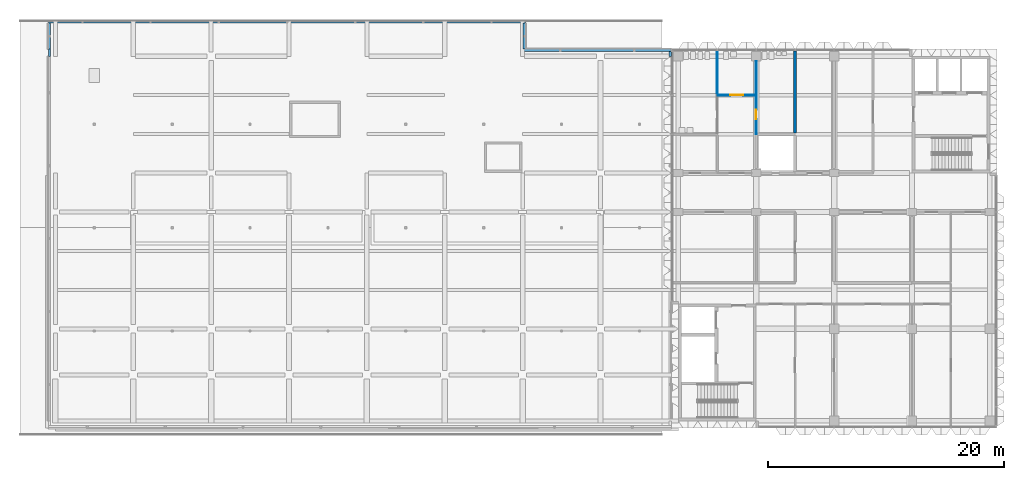
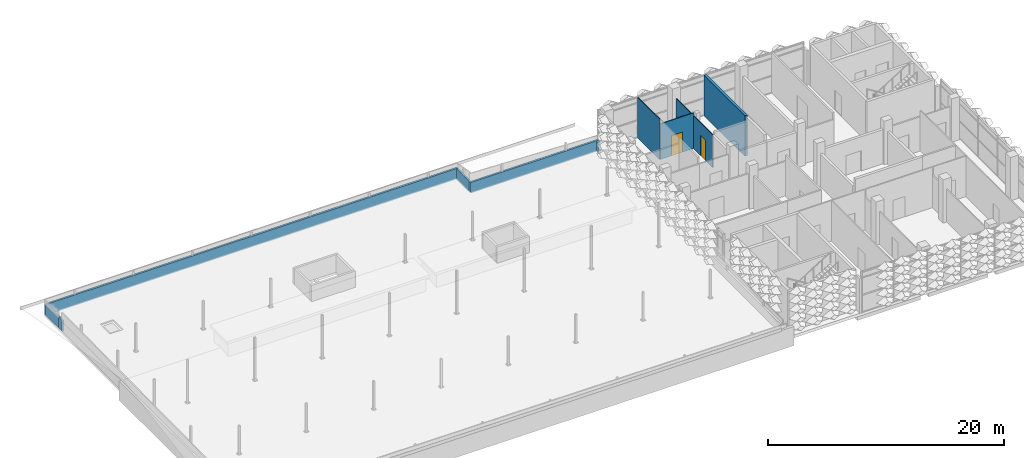
# One storey, part 12 of 39: 11 walls, 2 doors, 2 openings.
"""IFC4 building model written with IfcOpenShell, lengths in metres."""

from ifc_helpers import new_model, si_unit, direction, frame, frame_2d, origin, place, context, subcontext, project, spatial, rectangle, extrude, material, layer, layer_set, type_object, element, fill, save


model = new_model("IFC4")

# Units and contexts
model_context = context("Model", 3, precision=1e-05, world=origin(), true_north=direction((0.0, 1.0)))
body_context = subcontext(model_context, "Body", "Model", "MODEL_VIEW")
ifc_project = project(units=[si_unit("LENGTHUNIT", "METRE"), si_unit("AREAUNIT", "SQUARE_METRE"), si_unit("VOLUMEUNIT", "CUBIC_METRE"), si_unit("PLANEANGLEUNIT", "RADIAN"), si_unit("MASSUNIT", "GRAM", prefix="KILO")], contexts=[model_context])

# Site, building, storey
site_placement = place(None, origin())
site = spatial("IfcSite", under=ifc_project, at=site_placement, CompositionType="ELEMENT")
building_placement = place(site_placement, origin())
building = spatial("IfcBuilding", under=site, at=building_placement, Name="Lantern Court Research Institute", CompositionType="ELEMENT")
storey_placement = place(building_placement, frame((0.0, 0.0, 27.89990234375)))
storey = spatial("IfcBuildingStorey", under=building, at=storey_placement, Name="L06", CompositionType="ELEMENT", Elevation=27.89990234375)

# Walls
ifc_material_1 = material(Name="Concrete C30/37", Category="concrete")
ifc_layer_1 = layer(ifc_material_1, 0.199951171875)
ifc_layer_set_1 = layer_set([ifc_layer_1], Name="Concrete C30/37")
wall_type_1 = type_object("IfcWallType", Name="Parapet 200 concrete upstand", PredefinedType="PARAPET", material=ifc_layer_set_1)
wall_1_placement = place(storey_placement, frame((52.10009765625, 23.10009765625, 0.0), z_axis=(0.0, 0.0, 1.0), x_axis=(0.0, 1.0, 0.0)))
element("IfcWall", 1, at=wall_1_placement, inside=storey, type_object=wall_type_1, Name="Parapet L06 Wet Laboratory Wing 6", PredefinedType="PARAPET", context=body_context, shape_type="SweptSolid", body=[
    extrude(rectangle(XDim=0.39990234375, YDim=0.199951171875, at=frame_2d((0.199951171875, 0.0))), origin(), (0.0, 0.0, 1.0), 1.10009765625),
])
wall_2_placement = place(storey_placement, frame((52.199951171875, 23.60009765625, 0.0), z_axis=(0.0, 0.0, 1.0), x_axis=(-1.0, 0.0, 0.0)))
element("IfcWall", 2, at=wall_2_placement, inside=storey, type_object=wall_type_1, Name="Parapet L06 Wet Laboratory Wing 7", PredefinedType="PARAPET", context=body_context, shape_type="SweptSolid", body=[
    extrude(rectangle(XDim=12.550048828125, YDim=0.199951171875, at=frame_2d((6.27490234375, 0.0))), origin(), (0.0, 0.0, 1.0), 1.10009765625),
])
wall_3_placement = place(storey_placement, frame((39.75, 23.699951171875, 0.0), z_axis=(0.0, 0.0, 1.0), x_axis=(0.0, 1.0, 0.0)))
element("IfcWall", 3, at=wall_3_placement, inside=storey, type_object=wall_type_1, Name="Parapet L06 Wet Laboratory Wing 8", PredefinedType="PARAPET", context=body_context, shape_type="SweptSolid", body=[
    extrude(rectangle(XDim=2.199951171875, YDim=0.199951171875, at=frame_2d((1.10009765625, 0.0))), origin(), (0.0, 0.0, 1.0), 1.10009765625),
])
wall_4_placement = place(storey_placement, frame((39.85009765625, 26.0, 0.0), z_axis=(0.0, 0.0, 1.0), x_axis=(-1.0, 0.0, 0.0)))
element("IfcWall", 4, at=wall_4_placement, inside=storey, type_object=wall_type_1, Name="Parapet L06 Wet Laboratory Wing 9", PredefinedType="PARAPET", context=body_context, shape_type="SweptSolid", body=[
    extrude(rectangle(XDim=40.4501953125, YDim=0.199951171875, at=frame_2d((20.22509765625, 0.0))), origin(), (0.0, 0.0, 1.0), 1.10009765625),
])
wall_5_placement = place(storey_placement, frame((-0.5, 25.89990234375, 0.0), z_axis=(0.0, 0.0, 1.0), x_axis=(0.0, -1.0, 0.0)))
element("IfcWall", 5, at=wall_5_placement, inside=storey, type_object=wall_type_1, Name="Parapet L06 Wet Laboratory Wing 10", PredefinedType="PARAPET", context=body_context, shape_type="SweptSolid", body=[
    extrude(rectangle(XDim=2.199951171875, YDim=0.199951171875, at=frame_2d((1.10009765625, 0.0))), origin(), (0.0, 0.0, 1.0), 1.10009765625),
])
wall_6_placement = place(storey_placement, frame((-0.5, 23.699951171875, 0.0), z_axis=(0.0, 0.0, 1.0), x_axis=(0.0, -1.0, 0.0)))
element("IfcWall", 6, at=wall_6_placement, inside=storey, type_object=wall_type_1, Name="Parapet L06 Wet Laboratory Wing 11", PredefinedType="PARAPET", context=body_context, shape_type="SweptSolid", body=[
    extrude(rectangle(XDim=0.599853515625, YDim=0.199951171875, at=frame_2d((0.2998046875, 0.0))), origin(), (0.0, 0.0, 1.0), 1.10009765625),
])
ifc_material_2 = material(Name="Fire-rated gypsum board partition, double stud, mineral wool filled")
ifc_layer_2 = layer(ifc_material_2, 0.25)
ifc_layer_set_2 = layer_set([ifc_layer_2], Name="Fire-rated gypsum board partition, double stud, mineral wool filled")
wall_type_2 = type_object("IfcWallType", Name="Plant compartment wall 250 EI 120", PredefinedType="PARTITIONING", material=ifc_layer_set_2)
wall_7_placement = place(storey_placement, frame((62.699951171875, 16.60009765625, 0.0), z_axis=(0.0, 0.0, 1.0), x_axis=(0.0, 1.0, 0.0)))
element("IfcWall", 7, at=wall_7_placement, inside=storey, type_object=wall_type_2, Name="Plant compartment wall 250 EI 120", PredefinedType="PARTITIONING", context=body_context, shape_type="SweptSolid", body=[
    extrude(rectangle(XDim=6.949951171875, YDim=0.25, at=frame_2d((3.47509765625, 0.0))), origin(), (0.0, 0.0, 1.0), 4.2001953125),
])
ifc_material_3 = material(Name="Gypsum board partition, mineral wool filled")
ifc_layer_3 = layer(ifc_material_3, 0.074951171875)
ifc_layer_set_3 = layer_set([ifc_layer_3], Name="Gypsum board partition, mineral wool filled")
wall_type_3 = type_object("IfcWallType", Name="Wet room partition 75", PredefinedType="PARTITIONING", material=ifc_layer_set_3)
wall_8_placement = place(storey_placement, frame((56.10009765625, 19.800048828125, 0.0), z_axis=(0.0, 0.0, 1.0), x_axis=(0.0, 1.0, 0.0)))
element("IfcWall", 8, at=wall_8_placement, inside=storey, type_object=wall_type_3, Name="Wet room partition 75", PredefinedType="PARTITIONING", context=body_context, shape_type="SweptSolid", body=[
    extrude(rectangle(XDim=3.75, YDim=0.074951171875, at=frame_2d((1.875, 0.0))), origin(), (0.0, 0.0, 1.0), 4.2001953125),
])

# Wall, opening, door
wall_9_placement = place(storey_placement, frame((56.137451171875, 19.800048828125, 0.0), z_axis=(0.0, 0.0, 1.0), x_axis=(1.0, 0.0, 0.0)))
wall_9 = element("IfcWall", 9, at=wall_9_placement, inside=storey, type_object=wall_type_3, Name="Wet room partition 75", PredefinedType="PARTITIONING", context=body_context, shape_type="SweptSolid", body=[
    extrude(rectangle(XDim=3.262451171875, YDim=0.074951171875, at=frame_2d((1.63134765625, 0.0))), origin(), (0.0, 0.0, 1.0), 3.7001953125),
])
opening_1_placement = place(wall_9_placement, frame((1.0625, 0.0, 0.0)))
opening_1 = element("IfcOpeningElement", 10, at=opening_1_placement, cuts=wall_9, Name="Opening D5604", PredefinedType="OPENING", context=body_context, shape_type="SweptSolid", body=[
    extrude(rectangle(XDim=1.10009765625, YDim=2.10009765625, at=frame_2d((0.550048828125, 1.050048828125))), frame((0.0, 0.04736328125, 0.0), z_axis=(0.0, -1.0, 0.0), x_axis=(1.0, 0.0, 0.0)), (0.0, 0.0, 1.0), 0.094970703125),
])
ifc_material_4 = material(Name="Solid-core timber door leaf", Category="wood")
ifc_layer_4 = layer(ifc_material_4, 0.0439453125)
ifc_layer_set_4 = layer_set([ifc_layer_4], Name="Solid-core timber door leaf")
door_type_1 = type_object("IfcDoorType", Name="Accessible WC door 1100 x 2100 single NOT RATED", OperationType="NOTDEFINED", PredefinedType="DOOR", material=ifc_layer_set_4)
door_1_placement = place(opening_1_placement, origin())
door_1 = element("IfcDoor", 11, at=door_1_placement, inside=storey, type_object=door_type_1, Name="Door D5604", OperationType="SINGLE_SWING_RIGHT", OverallHeight=2.10009765625, OverallWidth=1.10009765625, PredefinedType="DOOR", context=body_context, shape_type="SweptSolid", body=[
    extrude(rectangle(XDim=1.10009765625, YDim=2.10009765625, at=frame_2d((0.550048828125, 1.050048828125))), frame((0.0, 0.02197265625, 0.0), z_axis=(0.0, -1.0, 0.0), x_axis=(1.0, 0.0, 0.0)), (0.0, 0.0, 1.0), 0.0439453125),
])
fill(opening_1, door_1)

wall_10_placement = place(storey_placement, frame((59.39990234375, 19.762451171875, 0.0), z_axis=(0.0, 0.0, 1.0), x_axis=(0.0, -1.0, 0.0)))
wall_10 = element("IfcWall", 12, at=wall_10_placement, inside=storey, type_object=wall_type_3, Name="Wet room partition 75", PredefinedType="PARTITIONING", context=body_context, shape_type="SweptSolid", body=[
    extrude(rectangle(XDim=3.262451171875, YDim=0.074951171875, at=frame_2d((1.63134765625, 0.0))), origin(), (0.0, 0.0, 1.0), 3.400146484375),
])
opening_2_placement = place(wall_10_placement, frame((1.21240234375, 0.0, 0.0)))
opening_2 = element("IfcOpeningElement", 13, at=opening_2_placement, cuts=wall_10, Name="Opening D5606", PredefinedType="OPENING", context=body_context, shape_type="SweptSolid", body=[
    extrude(rectangle(XDim=0.800048828125, YDim=2.10009765625, at=frame_2d((0.39990234375, 1.050048828125))), frame((0.0, 0.04736328125, 0.0), z_axis=(0.0, -1.0, 0.0), x_axis=(1.0, 0.0, 0.0)), (0.0, 0.0, 1.0), 0.094970703125),
])
ifc_material_5 = material(Name="Solid-core timber door leaf", Category="wood")
ifc_layer_5 = layer(ifc_material_5, 0.0439453125)
ifc_layer_set_5 = layer_set([ifc_layer_5], Name="Solid-core timber door leaf")
door_type_2 = type_object("IfcDoorType", Name="WC door 800 x 2100 single NOT RATED", OperationType="NOTDEFINED", PredefinedType="DOOR", material=ifc_layer_set_5)
door_2_placement = place(opening_2_placement, origin())
door_2 = element("IfcDoor", 14, at=door_2_placement, inside=storey, type_object=door_type_2, Name="Door D5606", OperationType="SINGLE_SWING_RIGHT", OverallHeight=2.10009765625, OverallWidth=0.800048828125, PredefinedType="DOOR", context=body_context, shape_type="SweptSolid", body=[
    extrude(rectangle(XDim=0.800048828125, YDim=2.10009765625, at=frame_2d((0.39990234375, 1.050048828125))), frame((0.0, 0.02197265625, 0.0), z_axis=(0.0, -1.0, 0.0), x_axis=(1.0, 0.0, 0.0)), (0.0, 0.0, 1.0), 0.0439453125),
])
fill(opening_2, door_2)

# Wall
wall_11_placement = place(storey_placement, frame((59.39990234375, 19.83740234375, 0.0), z_axis=(0.0, 0.0, 1.0), x_axis=(0.0, 1.0, 0.0)))
element("IfcWall", 15, at=wall_11_placement, inside=storey, type_object=wall_type_3, Name="Wet room partition 75", PredefinedType="PARTITIONING", context=body_context, shape_type="SweptSolid", body=[
    extrude(rectangle(XDim=2.862548828125, YDim=0.074951171875, at=frame_2d((1.43115234375, 0.0))), origin(), (0.0, 0.0, 1.0), 3.400146484375),
])

save(model, "model.ifc")
